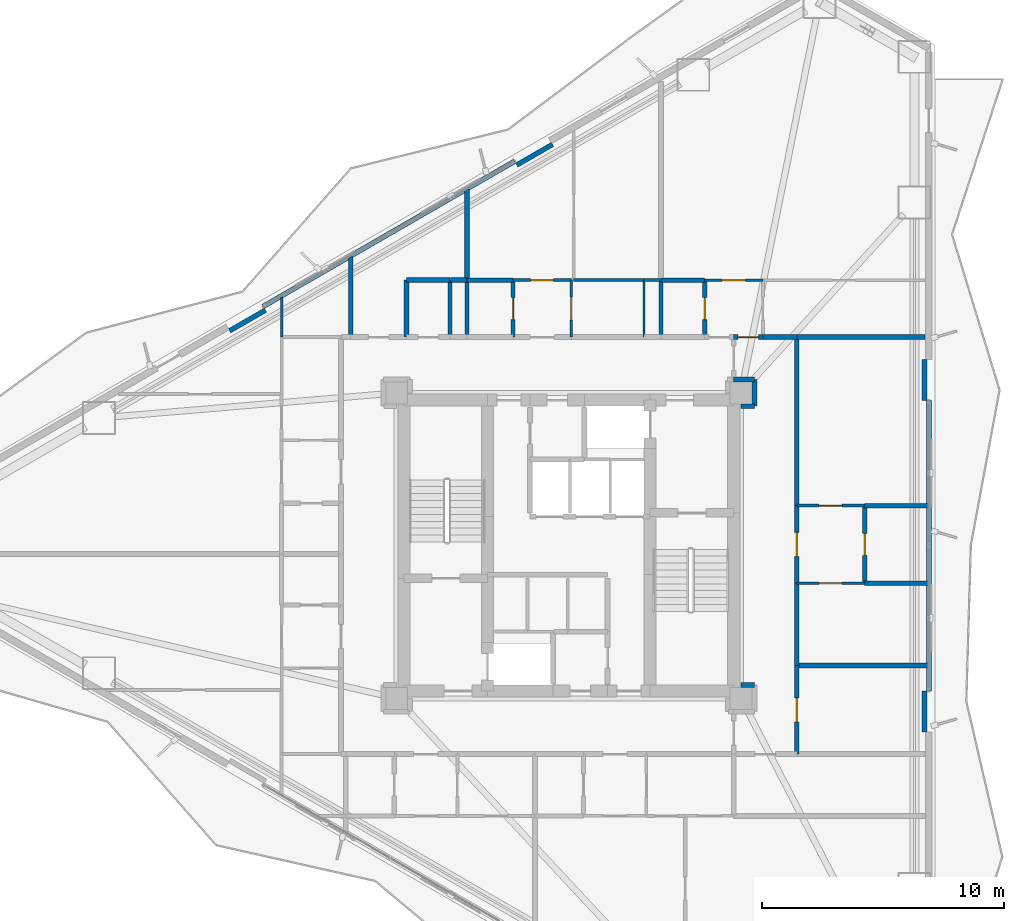
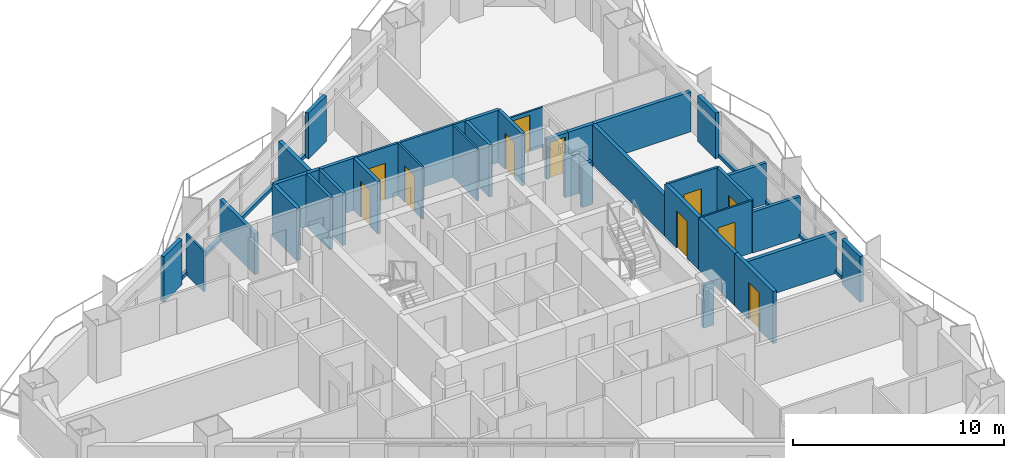
# One storey, part 15 of 18: 42 walls, 11 doors, 11 openings.
"""IFC4 building model written with IfcOpenShell, lengths in metres."""

from ifc_helpers import new_model, si_unit, direction, frame, frame_2d, origin, place, context, subcontext, project, spatial, rectangle, extrude, material, layer, layer_set, type_object, element, fill, save


model = new_model("IFC4")

# Units and contexts
model_context = context("Model", 3, precision=1e-05, world=origin(), true_north=direction((0.0, 1.0)))
body_context = subcontext(model_context, "Body", "Model", "MODEL_VIEW")
ifc_project = project(units=[si_unit("LENGTHUNIT", "METRE"), si_unit("AREAUNIT", "SQUARE_METRE"), si_unit("VOLUMEUNIT", "CUBIC_METRE"), si_unit("PLANEANGLEUNIT", "RADIAN"), si_unit("MASSUNIT", "GRAM", prefix="KILO")], contexts=[model_context])

# Site, building, storey
site_placement = place(None, origin())
site = spatial("IfcSite", under=ifc_project, at=site_placement, CompositionType="ELEMENT")
building_placement = place(site_placement, origin())
building = spatial("IfcBuilding", under=site, at=building_placement, Name="Mersakhor Tower and Convention Hall", CompositionType="ELEMENT")
storey_placement = place(building_placement, frame((0.0, 0.0, 58.800048828125)))
storey = spatial("IfcBuildingStorey", under=building, at=storey_placement, Name="L16", CompositionType="ELEMENT", Elevation=58.800048828125)

# Walls
ifc_material_1 = material(Name="Precast concrete C40/50", Category="concrete")
ifc_layer_1 = layer(ifc_material_1, 0.199951171875)
ifc_layer_set_1 = layer_set([ifc_layer_1], Name="Precast concrete C40/50")
wall_type_1 = type_object("IfcWallType", Name="WL-PAR-200", PredefinedType="PARAPET", material=ifc_layer_set_1)
wall_1_placement = place(storey_placement, frame((16.390380859375, 36.6171875, 0.0), z_axis=(0.0, 0.0, 1.0), x_axis=(0.866027351828, 0.499996625875, 0.0)))
element("IfcWall", 1, at=wall_1_placement, inside=storey, type_object=wall_type_1, Name="L16 Curtain Wall Upstand Sill F1-B2", PredefinedType="PARAPET", context=body_context, shape_type="SweptSolid", body=[
    extrude(rectangle(XDim=11.97314453125, YDim=0.199951171875, at=frame_2d((5.986572265625, 0.0))), origin(), (0.0, 0.0, 1.0), 0.199951171875),
])
for number, where, z_axis, x_axis, name in (
    (2, (15.00830078125, 35.611328125, 0.0), (0.0, 0.0, 1.0), (0.86605165483, 0.499954529098, 0.0), "L16 Column Pier Cladding Wall F1-C1"),
    (3, (26.849609375, 42.447998046875, 0.0), (0.0, 0.0, 1.0), (0.86605165483, 0.499954529098, 0.0), "L16 Column Pier Cladding Wall F1-C2"),
):
    element("IfcWall", number, at=place(storey_placement, frame(where, z_axis=z_axis, x_axis=x_axis)), inside=storey, type_object=wall_type_1, Name=name, PredefinedType="PARAPET", context=body_context, shape_type="SweptSolid", body=[
        extrude(rectangle(XDim=1.699951171875, YDim=0.199951171875, at=frame_2d((0.85009765625, 0.0))), origin(), (0.0, 0.0, 1.0), 2.639892578125),
    ])
wall_2_placement = place(storey_placement, frame((43.85009765625, 32.736572265625, 0.0), z_axis=(0.0, 0.0, 1.0), x_axis=(0.0, -1.0, 0.0)))
element("IfcWall", 4, at=wall_2_placement, inside=storey, type_object=wall_type_1, Name="L16 Curtain Wall Upstand Sill F2-B2", PredefinedType="PARAPET", context=body_context, shape_type="SweptSolid", body=[
    extrude(rectangle(XDim=11.97314453125, YDim=0.199951171875, at=frame_2d((5.986572265625, 0.0))), origin(), (0.0, 0.0, 1.0), 0.199951171875),
])
for number, where, z_axis, x_axis, name in (
    (5, (43.669921875, 34.4365234375, 0.0), (0.0, 0.0, 1.0), (0.0, -1.0, 0.0), "L16 Column Pier Cladding Wall F2-C1"),
    (6, (43.669921875, 20.763427734375, 0.0), (0.0, 0.0, 1.0), (0.0, -1.0, 0.0), "L16 Column Pier Cladding Wall F2-C2"),
):
    element("IfcWall", number, at=place(storey_placement, frame(where, z_axis=z_axis, x_axis=x_axis)), inside=storey, type_object=wall_type_1, Name=name, PredefinedType="PARAPET", context=body_context, shape_type="SweptSolid", body=[
        extrude(rectangle(XDim=1.699951171875, YDim=0.199951171875, at=frame_2d((0.85009765625, 0.0))), origin(), (0.0, 0.0, 1.0), 2.639892578125),
    ])

# Wall, opening, door
ifc_material_2 = material(Name="Moisture-resistant acoustic drywall studwork", Category="other")
ifc_layer_2 = layer(ifc_material_2, 0.175048828125)
ifc_layer_set_2 = layer_set([ifc_layer_2], Name="Moisture-resistant acoustic drywall studwork")
wall_type_2 = type_object("IfcWallType", Name="WL-PLM-175", PredefinedType="PLUMBINGWALL", material=ifc_layer_set_2)
wall_3_placement = place(storey_placement, frame((26.699951171875, 35.35009765625, 0.0), z_axis=(0.0, 0.0, 1.0), x_axis=(0.0, 1.0, 0.0)))
wall_3 = element("IfcWall", 7, at=wall_3_placement, inside=storey, type_object=wall_type_2, Name="L16 Interior Partition Wall P-071", PredefinedType="PLUMBINGWALL", context=body_context, shape_type="SweptSolid", body=[
    extrude(rectangle(XDim=2.349853515625, YDim=0.175048828125, at=frame_2d((1.1748046875, 0.0))), origin(), (0.0, 0.0, 1.0), 3.02001953125),
])
opening_1_placement = place(wall_3_placement, frame((0.72509765625, 0.0, 0.0)))
opening_1 = element("IfcOpeningElement", 8, at=opening_1_placement, cuts=wall_3, Name="Opening WD-01", PredefinedType="OPENING", context=body_context, shape_type="SweptSolid", body=[
    extrude(rectangle(XDim=0.89990234375, YDim=2.10009765625, at=frame_2d((0.449951171875, 1.050048828125))), frame((0.0, 0.097412109375, 0.0), z_axis=(0.0, -1.0, 0.0), x_axis=(1.0, 0.0, 0.0)), (0.0, 0.0, 1.0), 0.195068359375),
])
ifc_material_3 = material(Name="Solid-core hardwood leaf in painted steel frame", Category="steel")
door_type_1 = type_object("IfcDoorType", Name="DR-INT-WET-090x210", OperationType="NOTDEFINED", PredefinedType="DOOR", material=ifc_material_3)
door_1_placement = place(opening_1_placement, origin())
door_1 = element("IfcDoor", 9, at=door_1_placement, inside=storey, type_object=door_type_1, Name="L16 L16 Flat N2 Apartment Hall to L16 Flat N2 Bathroom Door", OperationType="SINGLE_SWING_RIGHT", OverallHeight=2.10009765625, OverallWidth=0.89990234375, PredefinedType="DOOR", context=body_context, shape_type="SweptSolid", body=[
    extrude(rectangle(XDim=0.89990234375, YDim=2.10009765625, at=frame_2d((0.449951171875, 1.050048828125))), frame((0.0, 0.02490234375, 0.0), z_axis=(0.0, -1.0, 0.0), x_axis=(1.0, 0.0, 0.0)), (0.0, 0.0, 1.0), 0.050048828125),
])
fill(opening_1, door_1)

wall_4_placement = place(storey_placement, frame((34.60009765625, 35.35009765625, 0.0), z_axis=(0.0, 0.0, 1.0), x_axis=(0.0, 1.0, 0.0)))
wall_4 = element("IfcWall", 10, at=wall_4_placement, inside=storey, type_object=wall_type_2, Name="L16 Interior Partition Wall P-074", PredefinedType="PLUMBINGWALL", context=body_context, shape_type="SweptSolid", body=[
    extrude(rectangle(XDim=2.349853515625, YDim=0.175048828125, at=frame_2d((1.1748046875, 0.0))), origin(), (0.0, 0.0, 1.0), 3.02001953125),
])
opening_2_placement = place(wall_4_placement, frame((0.72509765625, 0.0, 0.0)))
opening_2 = element("IfcOpeningElement", 11, at=opening_2_placement, cuts=wall_4, Name="Opening WD-01", PredefinedType="OPENING", context=body_context, shape_type="SweptSolid", body=[
    extrude(rectangle(XDim=0.89990234375, YDim=2.10009765625, at=frame_2d((0.449951171875, 1.050048828125))), frame((0.0, 0.097412109375, 0.0), z_axis=(0.0, -1.0, 0.0), x_axis=(1.0, 0.0, 0.0)), (0.0, 0.0, 1.0), 0.195068359375),
])
door_2_placement = place(opening_2_placement, origin())
door_2 = element("IfcDoor", 12, at=door_2_placement, inside=storey, type_object=door_type_1, Name="L16 L16 Flat N3 Apartment Hall to L16 Flat N3 Bathroom Door", OperationType="SINGLE_SWING_LEFT", OverallHeight=2.10009765625, OverallWidth=0.89990234375, PredefinedType="DOOR", context=body_context, shape_type="SweptSolid", body=[
    extrude(rectangle(XDim=0.89990234375, YDim=2.10009765625, at=frame_2d((0.449951171875, 1.050048828125))), frame((0.0, 0.02490234375, 0.0), z_axis=(0.0, -1.0, 0.0), x_axis=(1.0, 0.0, 0.0)), (0.0, 0.0, 1.0), 0.050048828125),
])
fill(opening_2, door_2)

wall_5_placement = place(storey_placement, frame((41.199951171875, 28.39990234375, 0.0), z_axis=(0.0, 0.0, 1.0), x_axis=(0.0, -1.0, 0.0)))
wall_5 = element("IfcWall", 13, at=wall_5_placement, inside=storey, type_object=wall_type_2, Name="L16 Interior Partition Wall P-087", PredefinedType="PLUMBINGWALL", context=body_context, shape_type="SweptSolid", body=[
    extrude(rectangle(XDim=3.199951171875, YDim=0.175048828125, at=frame_2d((1.60009765625, 0.0))), origin(), (0.0, 0.0, 1.0), 3.02001953125),
])
opening_3_placement = place(wall_5_placement, frame((1.14990234375, 0.0, 0.0)))
opening_3 = element("IfcOpeningElement", 14, at=opening_3_placement, cuts=wall_5, Name="Opening WD-01", PredefinedType="OPENING", context=body_context, shape_type="SweptSolid", body=[
    extrude(rectangle(XDim=0.89990234375, YDim=2.10009765625, at=frame_2d((0.449951171875, 1.050048828125))), frame((0.0, 0.097412109375, 0.0), z_axis=(0.0, -1.0, 0.0), x_axis=(1.0, 0.0, 0.0)), (0.0, 0.0, 1.0), 0.195068359375),
])
door_3_placement = place(opening_3_placement, origin())
door_3 = element("IfcDoor", 15, at=door_3_placement, inside=storey, type_object=door_type_1, Name="L16 L16 Flat E8 Apartment Hall to L16 Flat E8 Bathroom Door", OperationType="SINGLE_SWING_RIGHT", OverallHeight=2.10009765625, OverallWidth=0.89990234375, PredefinedType="DOOR", context=body_context, shape_type="SweptSolid", body=[
    extrude(rectangle(XDim=0.89990234375, YDim=2.10009765625, at=frame_2d((0.449951171875, 1.050048828125))), frame((0.0, 0.02490234375, 0.0), z_axis=(0.0, -1.0, 0.0), x_axis=(1.0, 0.0, 0.0)), (0.0, 0.0, 1.0), 0.050048828125),
])
fill(opening_3, door_3)

# Walls
wall_6_placement = place(storey_placement, frame((24.10009765625, 37.699951171875, 0.0), z_axis=(0.0, 0.0, 1.0), x_axis=(0.0, -1.0, 0.0)))
element("IfcWall", 16, at=wall_6_placement, inside=storey, type_object=wall_type_2, Name="L16 Interior Partition Wall P-091", PredefinedType="PLUMBINGWALL", context=body_context, shape_type="SweptSolid", body=[
    extrude(rectangle(XDim=2.349853515625, YDim=0.175048828125, at=frame_2d((1.1748046875, 0.0))), origin(), (0.0, 0.0, 1.0), 3.02001953125),
])
wall_7_placement = place(storey_placement, frame((24.800048828125, 37.699951171875, 0.0), z_axis=(0.0, 0.0, 1.0), x_axis=(1.0, 0.0, 0.0)))
element("IfcWall", 17, at=wall_7_placement, inside=storey, type_object=wall_type_2, Name="L16 Interior Partition Wall P-093", PredefinedType="PLUMBINGWALL", context=body_context, shape_type="SweptSolid", body=[
    extrude(rectangle(XDim=1.89990234375, YDim=0.175048828125, at=frame_2d((0.949951171875, 0.0))), origin(), (0.0, 0.0, 1.0), 3.02001953125),
])
wall_8_placement = place(storey_placement, frame((24.800048828125, 35.35009765625, 0.0), z_axis=(0.0, 0.0, 1.0), x_axis=(0.0, 1.0, 0.0)))
element("IfcWall", 18, at=wall_8_placement, inside=storey, type_object=wall_type_2, Name="L16 Interior Partition Wall P-094", PredefinedType="PLUMBINGWALL", context=body_context, shape_type="SweptSolid", body=[
    extrude(rectangle(XDim=2.349853515625, YDim=0.175048828125, at=frame_2d((1.1748046875, 0.0))), origin(), (0.0, 0.0, 1.0), 3.02001953125),
])
wall_9_placement = place(storey_placement, frame((32.800048828125, 37.699951171875, 0.0), z_axis=(0.0, 0.0, 1.0), x_axis=(1.0, 0.0, 0.0)))
element("IfcWall", 19, at=wall_9_placement, inside=storey, type_object=wall_type_2, Name="L16 Interior Partition Wall P-097", PredefinedType="PLUMBINGWALL", context=body_context, shape_type="SweptSolid", body=[
    extrude(rectangle(XDim=1.800048828125, YDim=0.175048828125, at=frame_2d((0.89990234375, 0.0))), origin(), (0.0, 0.0, 1.0), 3.02001953125),
])
wall_10_placement = place(storey_placement, frame((32.800048828125, 35.35009765625, 0.0), z_axis=(0.0, 0.0, 1.0), x_axis=(0.0, 1.0, 0.0)))
element("IfcWall", 20, at=wall_10_placement, inside=storey, type_object=wall_type_2, Name="L16 Interior Partition Wall P-098", PredefinedType="PLUMBINGWALL", context=body_context, shape_type="SweptSolid", body=[
    extrude(rectangle(XDim=2.349853515625, YDim=0.175048828125, at=frame_2d((1.1748046875, 0.0))), origin(), (0.0, 0.0, 1.0), 3.02001953125),
])
for number, where, z_axis, x_axis, name in (
    (21, (41.199951171875, 28.39990234375, 0.0), (0.0, 0.0, 1.0), (1.0, 0.0, 0.0), "L16 Interior Partition Wall P-118"),
    (22, (43.81396484375, 25.199951171875, 0.0), (0.0, 0.0, 1.0), (-1.0, 0.0, 0.0), "L16 Interior Partition Wall P-119"),
):
    element("IfcWall", number, at=place(storey_placement, frame(where, z_axis=z_axis, x_axis=x_axis)), inside=storey, type_object=wall_type_2, Name=name, PredefinedType="PLUMBINGWALL", context=body_context, shape_type="SweptSolid", body=[
        extrude(rectangle(XDim=2.614013671875, YDim=0.175048828125, at=frame_2d((1.30712890625, 0.0))), origin(), (0.0, 0.0, 1.0), 2.364990234375),
    ])

# Wall, opening, door
ifc_material_4 = material(Name="Lightweight gypsum partition", Category="other")
ifc_layer_3 = layer(ifc_material_4, 0.10009765625)
ifc_layer_set_3 = layer_set([ifc_layer_3], Name="Lightweight gypsum partition")
wall_type_3 = type_object("IfcWallType", Name="WL-PRT-100", PredefinedType="PARTITIONING", material=ifc_layer_set_3)
wall_11_placement = place(storey_placement, frame((29.10009765625, 37.699951171875, 0.0), z_axis=(0.0, 0.0, 1.0), x_axis=(0.0, -1.0, 0.0)))
wall_11 = element("IfcWall", 23, at=wall_11_placement, inside=storey, type_object=wall_type_3, Name="L16 Interior Partition Wall P-070", PredefinedType="PARTITIONING", context=body_context, shape_type="SweptSolid", body=[
    extrude(rectangle(XDim=2.349853515625, YDim=0.10009765625, at=frame_2d((1.1748046875, 0.0))), origin(), (0.0, 0.0, 1.0), 3.02001953125),
])
opening_4_placement = place(wall_11_placement, frame((0.699951171875, 0.0, 0.0)))
opening_4 = element("IfcOpeningElement", 24, at=opening_4_placement, cuts=wall_11, Name="Opening RD-01", PredefinedType="OPENING", context=body_context, shape_type="SweptSolid", body=[
    extrude(rectangle(XDim=0.949951171875, YDim=2.10009765625, at=frame_2d((0.47509765625, 1.050048828125))), frame((0.0, 0.06005859375, 0.0), z_axis=(0.0, -1.0, 0.0), x_axis=(1.0, 0.0, 0.0)), (0.0, 0.0, 1.0), 0.1201171875),
])
ifc_material_5 = material(Name="Solid-core hardwood leaf in painted steel frame", Category="steel")
door_type_2 = type_object("IfcDoorType", Name="DR-INT-RM-095x210", OperationType="NOTDEFINED", PredefinedType="DOOR", material=ifc_material_5)
door_4_placement = place(opening_4_placement, origin())
door_4 = element("IfcDoor", 25, at=door_4_placement, inside=storey, type_object=door_type_2, Name="L16 L16 Flat N2 Apartment Hall to L16 Flat N2 Kitchen Door", OperationType="SINGLE_SWING_LEFT", OverallHeight=2.10009765625, OverallWidth=0.949951171875, PredefinedType="DOOR", context=body_context, shape_type="SweptSolid", body=[
    extrude(rectangle(XDim=0.949951171875, YDim=2.10009765625, at=frame_2d((0.47509765625, 1.050048828125))), frame((0.0, 0.02490234375, 0.0), z_axis=(0.0, -1.0, 0.0), x_axis=(1.0, 0.0, 0.0)), (0.0, 0.0, 1.0), 0.050048828125),
])
fill(opening_4, door_4)

wall_12_placement = place(storey_placement, frame((34.60009765625, 37.699951171875, 0.0), z_axis=(0.0, 0.0, 1.0), x_axis=(1.0, 0.0, 0.0)))
wall_12 = element("IfcWall", 26, at=wall_12_placement, inside=storey, type_object=wall_type_3, Name="L16 Interior Partition Wall P-072", PredefinedType="PARTITIONING", context=body_context, shape_type="SweptSolid", body=[
    extrude(rectangle(XDim=2.39990234375, YDim=0.10009765625, at=frame_2d((1.199951171875, 0.0))), origin(), (0.0, 0.0, 1.0), 2.3173828125),
])
opening_5_placement = place(wall_12_placement, frame((0.72509765625, 0.0, 0.0)))
opening_5 = element("IfcOpeningElement", 27, at=opening_5_placement, cuts=wall_12, Name="Opening RD-01", PredefinedType="OPENING", context=body_context, shape_type="SweptSolid", body=[
    extrude(rectangle(XDim=0.949951171875, YDim=2.10009765625, at=frame_2d((0.47509765625, 1.050048828125))), frame((0.0, 0.06005859375, 0.0), z_axis=(0.0, -1.0, 0.0), x_axis=(1.0, 0.0, 0.0)), (0.0, 0.0, 1.0), 0.1201171875),
])
door_5_placement = place(opening_5_placement, origin())
door_5 = element("IfcDoor", 28, at=door_5_placement, inside=storey, type_object=door_type_2, Name="L16 L16 Flat N3 Apartment Hall to L16 Flat N3 Studio Living and Sleeping Room Door", OperationType="SINGLE_SWING_LEFT", OverallHeight=2.10009765625, OverallWidth=0.949951171875, PredefinedType="DOOR", context=body_context, shape_type="SweptSolid", body=[
    extrude(rectangle(XDim=0.949951171875, YDim=2.10009765625, at=frame_2d((0.47509765625, 1.050048828125))), frame((0.0, 0.02490234375, 0.0), z_axis=(0.0, -1.0, 0.0), x_axis=(1.0, 0.0, 0.0)), (0.0, 0.0, 1.0), 0.050048828125),
])
fill(opening_5, door_5)

wall_13_placement = place(storey_placement, frame((41.199951171875, 25.199951171875, 0.0), z_axis=(0.0, 0.0, 1.0), x_axis=(-1.0, 0.0, 0.0)))
wall_13 = element("IfcWall", 29, at=wall_13_placement, inside=storey, type_object=wall_type_3, Name="L16 Interior Partition Wall P-088", PredefinedType="PARTITIONING", context=body_context, shape_type="SweptSolid", body=[
    extrude(rectangle(XDim=2.800048828125, YDim=0.10009765625, at=frame_2d((1.39990234375, 0.0))), origin(), (0.0, 0.0, 1.0), 3.02001953125),
])
opening_6_placement = place(wall_13_placement, frame((0.925048828125, 0.0, 0.0)))
opening_6 = element("IfcOpeningElement", 30, at=opening_6_placement, cuts=wall_13, Name="Opening RD-01", PredefinedType="OPENING", context=body_context, shape_type="SweptSolid", body=[
    extrude(rectangle(XDim=0.949951171875, YDim=2.10009765625, at=frame_2d((0.47509765625, 1.050048828125))), frame((0.0, 0.06005859375, 0.0), z_axis=(0.0, -1.0, 0.0), x_axis=(1.0, 0.0, 0.0)), (0.0, 0.0, 1.0), 0.1201171875),
])
door_6_placement = place(opening_6_placement, origin())
door_6 = element("IfcDoor", 31, at=door_6_placement, inside=storey, type_object=door_type_2, Name="L16 L16 Flat E8 Apartment Hall to L16 Flat E8 Kitchen Door", OperationType="SINGLE_SWING_LEFT", OverallHeight=2.10009765625, OverallWidth=0.949951171875, PredefinedType="DOOR", context=body_context, shape_type="SweptSolid", body=[
    extrude(rectangle(XDim=0.949951171875, YDim=2.10009765625, at=frame_2d((0.47509765625, 1.050048828125))), frame((0.0, 0.02490234375, 0.0), z_axis=(0.0, -1.0, 0.0), x_axis=(1.0, 0.0, 0.0)), (0.0, 0.0, 1.0), 0.050048828125),
])
fill(opening_6, door_6)

# Walls
wall_14_placement = place(storey_placement, frame((32.10009765625, 37.699951171875, 0.0), z_axis=(0.0, 0.0, 1.0), x_axis=(0.0, -1.0, 0.0)))
element("IfcWall", 32, at=wall_14_placement, inside=storey, type_object=wall_type_3, Name="L16 Interior Partition Wall P-096", PredefinedType="PARTITIONING", context=body_context, shape_type="SweptSolid", body=[
    extrude(rectangle(XDim=2.349853515625, YDim=0.10009765625, at=frame_2d((1.1748046875, 0.0))), origin(), (0.0, 0.0, 1.0), 3.02001953125),
])
wall_15_placement = place(storey_placement, frame((17.14990234375, 37.01416015625, 0.0), z_axis=(0.0, 0.0, 1.0), x_axis=(0.0, -1.0, 0.0)))
element("IfcWall", 33, at=wall_15_placement, inside=storey, type_object=wall_type_3, Name="L16 Interior Partition Wall P-140", PredefinedType="PARTITIONING", context=body_context, shape_type="SweptSolid", body=[
    extrude(rectangle(XDim=1.6640625, YDim=0.10009765625, at=frame_2d((0.83203125, 0.0))), origin(), (0.0, 0.0, 1.0), 2.364990234375),
])

# Wall, opening, door
ifc_material_6 = material(Name="Gypsum board acoustic partition", Category="other")
ifc_layer_4 = layer(ifc_material_6, 0.125)
ifc_layer_set_4 = layer_set([ifc_layer_4], Name="Gypsum board acoustic partition")
wall_type_4 = type_object("IfcWallType", Name="WL-PRT-125", PredefinedType="PARTITIONING", material=ifc_layer_set_4)
wall_16_placement = place(storey_placement, frame((26.699951171875, 37.699951171875, 0.0), z_axis=(0.0, 0.0, 1.0), x_axis=(1.0, 0.0, 0.0)))
wall_16 = element("IfcWall", 34, at=wall_16_placement, inside=storey, type_object=wall_type_4, Name="L16 Interior Partition Wall P-069", PredefinedType="PARTITIONING", context=body_context, shape_type="SweptSolid", body=[
    extrude(rectangle(XDim=2.400146484375, YDim=0.125, at=frame_2d((1.2001953125, 0.0))), origin(), (0.0, 0.0, 1.0), 3.02001953125),
])
opening_7_placement = place(wall_16_placement, frame((0.72509765625, 0.0, 0.0)))
opening_7 = element("IfcOpeningElement", 35, at=opening_7_placement, cuts=wall_16, Name="Opening RD-01", PredefinedType="OPENING", context=body_context, shape_type="SweptSolid", body=[
    extrude(rectangle(XDim=0.949951171875, YDim=2.10009765625, at=frame_2d((0.47509765625, 1.050048828125))), frame((0.0, 0.072509765625, 0.0), z_axis=(0.0, -1.0, 0.0), x_axis=(1.0, 0.0, 0.0)), (0.0, 0.0, 1.0), 0.14501953125),
])
door_7_placement = place(opening_7_placement, origin())
door_7 = element("IfcDoor", 36, at=door_7_placement, inside=storey, type_object=door_type_2, Name="L16 L16 Flat N2 Apartment Hall to L16 Flat N2 Living and Dining Room Door", OperationType="SINGLE_SWING_RIGHT", OverallHeight=2.10009765625, OverallWidth=0.949951171875, PredefinedType="DOOR", context=body_context, shape_type="SweptSolid", body=[
    extrude(rectangle(XDim=0.949951171875, YDim=2.10009765625, at=frame_2d((0.47509765625, 1.050048828125))), frame((0.0, 0.02490234375, 0.0), z_axis=(0.0, -1.0, 0.0), x_axis=(1.0, 0.0, 0.0)), (0.0, 0.0, 1.0), 0.050048828125),
])
fill(opening_7, door_7)

wall_17_placement = place(storey_placement, frame((38.39990234375, 28.39990234375, 0.0), z_axis=(0.0, 0.0, 1.0), x_axis=(1.0, 0.0, 0.0)))
wall_17 = element("IfcWall", 37, at=wall_17_placement, inside=storey, type_object=wall_type_4, Name="L16 Interior Partition Wall P-089", PredefinedType="PARTITIONING", context=body_context, shape_type="SweptSolid", body=[
    extrude(rectangle(XDim=2.800048828125, YDim=0.125, at=frame_2d((1.39990234375, 0.0))), origin(), (0.0, 0.0, 1.0), 3.02001953125),
])
opening_8_placement = place(wall_17_placement, frame((0.925048828125, 0.0, 0.0)))
opening_8 = element("IfcOpeningElement", 38, at=opening_8_placement, cuts=wall_17, Name="Opening RD-01", PredefinedType="OPENING", context=body_context, shape_type="SweptSolid", body=[
    extrude(rectangle(XDim=0.949951171875, YDim=2.10009765625, at=frame_2d((0.47509765625, 1.050048828125))), frame((0.0, 0.072509765625, 0.0), z_axis=(0.0, -1.0, 0.0), x_axis=(1.0, 0.0, 0.0)), (0.0, 0.0, 1.0), 0.14501953125),
])
door_8_placement = place(opening_8_placement, origin())
door_8 = element("IfcDoor", 39, at=door_8_placement, inside=storey, type_object=door_type_2, Name="L16 L16 Flat E8 Apartment Hall to L16 Flat E8 Studio Living and Sleeping Room Door", OperationType="SINGLE_SWING_RIGHT", OverallHeight=2.10009765625, OverallWidth=0.949951171875, PredefinedType="DOOR", context=body_context, shape_type="SweptSolid", body=[
    extrude(rectangle(XDim=0.949951171875, YDim=2.10009765625, at=frame_2d((0.47509765625, 1.050048828125))), frame((0.0, 0.02490234375, 0.0), z_axis=(0.0, -1.0, 0.0), x_axis=(1.0, 0.0, 0.0)), (0.0, 0.0, 1.0), 0.050048828125),
])
fill(opening_8, door_8)

# Walls
wall_18_placement = place(storey_placement, frame((29.199951171875, 37.699951171875, 0.0), z_axis=(0.0, 0.0, 1.0), x_axis=(1.0, 0.0, 0.0)))
element("IfcWall", 40, at=wall_18_placement, inside=storey, type_object=wall_type_4, Name="L16 Interior Partition Wall P-095", PredefinedType="PARTITIONING", context=body_context, shape_type="SweptSolid", body=[
    extrude(rectangle(XDim=2.900146484375, YDim=0.125, at=frame_2d((1.4501953125, 0.0))), origin(), (0.0, 0.0, 1.0), 3.02001953125),
])
wall_19_placement = place(storey_placement, frame((32.800048828125, 37.699951171875, 0.0), z_axis=(0.0, 0.0, 1.0), x_axis=(-1.0, 0.0, 0.0)))
element("IfcWall", 41, at=wall_19_placement, inside=storey, type_object=wall_type_4, Name="L16 Interior Partition Wall P-127", PredefinedType="PARTITIONING", context=body_context, shape_type="SweptSolid", body=[
    extrude(rectangle(XDim=0.699951171875, YDim=0.125, at=frame_2d((0.35009765625, 0.0))), origin(), (0.0, 0.0, 1.0), 3.02001953125),
])
ifc_material_7 = material(Name="Acoustic concrete blockwork and gypsum board", Category="masonry")
ifc_layer_5 = layer(ifc_material_7, 0.199951171875)
ifc_layer_set_5 = layer_set([ifc_layer_5], Name="Acoustic concrete blockwork and gypsum board")
wall_type_5 = type_object("IfcWallType", Name="WL-PRT-200", PredefinedType="PARTITIONING", material=ifc_layer_set_5)
for number, where, z_axis, x_axis, name in (
    (42, (36.64990234375, 21.0, 0.0), (0.0, 0.0, 1.0), (-1.0, 0.0, 0.0), "L16 Interior Partition Wall P-056"),
    (43, (36.10009765625, 32.5, 0.0), (0.0, 0.0, 1.0), (1.0, 0.0, 0.0), "L16 Interior Partition Wall P-057"),
):
    element("IfcWall", number, at=place(storey_placement, frame(where, z_axis=z_axis, x_axis=x_axis)), inside=storey, type_object=wall_type_5, Name=name, PredefinedType="PARTITIONING", context=body_context, shape_type="SweptSolid", body=[
        extrude(rectangle(XDim=0.5498046875, YDim=0.199951171875, at=frame_2d((0.27490234375, 0.0))), origin(), (0.0, 0.0, 1.0), 2.46826171875),
    ])
wall_20_placement = place(storey_placement, frame((36.64990234375, 32.5, 0.0), z_axis=(0.0, 0.0, 1.0), x_axis=(0.0, 1.0, 0.0)))
element("IfcWall", 44, at=wall_20_placement, inside=storey, type_object=wall_type_5, Name="L16 Interior Partition Wall P-058", PredefinedType="PARTITIONING", context=body_context, shape_type="SweptSolid", body=[
    extrude(rectangle(XDim=1.10009765625, YDim=0.199951171875, at=frame_2d((0.550048828125, 0.0))), origin(), (0.0, 0.0, 1.0), 2.3173828125),
])
wall_21_placement = place(storey_placement, frame((36.64990234375, 33.60009765625, 0.0), z_axis=(0.0, 0.0, 1.0), x_axis=(-1.0, 0.0, 0.0)))
element("IfcWall", 45, at=wall_21_placement, inside=storey, type_object=wall_type_5, Name="L16 Interior Partition Wall P-059", PredefinedType="PARTITIONING", context=body_context, shape_type="SweptSolid", body=[
    extrude(rectangle(XDim=0.849853515625, YDim=0.199951171875, at=frame_2d((0.4248046875, 0.0))), origin(), (0.0, 0.0, 1.0), 2.3173828125),
])

# Wall, opening, door
wall_22_placement = place(storey_placement, frame((35.800048828125, 35.35009765625, 0.0), z_axis=(0.0, 0.0, 1.0), x_axis=(1.0, 0.0, 0.0)))
wall_22 = element("IfcWall", 46, at=wall_22_placement, inside=storey, type_object=wall_type_5, Name="L16 Interior Partition Wall P-060", PredefinedType="PARTITIONING", context=body_context, shape_type="SweptSolid", body=[
    extrude(rectangle(XDim=1.199951171875, YDim=0.199951171875, at=frame_2d((0.60009765625, 0.0))), origin(), (0.0, 0.0, 1.0), 2.3173828125),
])
opening_9_placement = place(wall_22_placement, frame((0.175048828125, 0.0, 0.0)))
opening_9 = element("IfcOpeningElement", 47, at=opening_9_placement, cuts=wall_22, Name="Opening SVD-01", PredefinedType="OPENING", context=body_context, shape_type="SweptSolid", body=[
    extrude(rectangle(XDim=0.85009765625, YDim=2.10009765625, at=frame_2d((0.425048828125, 1.050048828125))), frame((0.0, 0.10986328125, 0.0), z_axis=(0.0, -1.0, 0.0), x_axis=(1.0, 0.0, 0.0)), (0.0, 0.0, 1.0), 0.219970703125),
])
ifc_material_8 = material(Name="Fire-rated hardwood leaf and painted steel frame", Category="steel")
door_type_3 = type_object("IfcDoorType", Name="DR-INT-SVC-085x210", OperationType="NOTDEFINED", PredefinedType="DOOR", material=ifc_material_8)
door_9_placement = place(opening_9_placement, origin())
door_9 = element("IfcDoor", 48, at=door_9_placement, inside=storey, type_object=door_type_3, Name="L16 Apartment Entrance Door (Residential Ring East Corridor to L16 Flat N3 Apartment Hall)", OperationType="SINGLE_SWING_RIGHT", OverallHeight=2.10009765625, OverallWidth=0.85009765625, PredefinedType="DOOR", context=body_context, shape_type="SweptSolid", body=[
    extrude(rectangle(XDim=0.85009765625, YDim=2.10009765625, at=frame_2d((0.425048828125, 1.050048828125))), frame((0.0, 0.02490234375, 0.0), z_axis=(0.0, -1.0, 0.0), x_axis=(1.0, 0.0, 0.0)), (0.0, 0.0, 1.0), 0.050048828125),
])
fill(opening_9, door_9)

# Walls
wall_23_placement = place(storey_placement, frame((37.0, 35.35009765625, 0.0), z_axis=(0.0, 0.0, 1.0), x_axis=(1.0, 0.0, 0.0)))
element("IfcWall", 49, at=wall_23_placement, inside=storey, type_object=wall_type_5, Name="L16 Interior Partition Wall P-061", PredefinedType="PARTITIONING", context=body_context, shape_type="SweptSolid", body=[
    extrude(rectangle(XDim=1.39990234375, YDim=0.199951171875, at=frame_2d((0.699951171875, 0.0))), origin(), (0.0, 0.0, 1.0), 2.3173828125),
])
wall_24_placement = place(storey_placement, frame((38.39990234375, 35.35009765625, 0.0), z_axis=(0.0, 0.0, 1.0), x_axis=(0.0, -1.0, 0.0)))
element("IfcWall", 50, at=wall_24_placement, inside=storey, type_object=wall_type_5, Name="L16 Interior Partition Wall P-062", PredefinedType="PARTITIONING", context=body_context, shape_type="SweptSolid", body=[
    extrude(rectangle(XDim=6.9501953125, YDim=0.199951171875, at=frame_2d((3.47509765625, 0.0))), origin(), (0.0, 0.0, 1.0), 2.3173828125),
])

# Wall, opening, door
wall_25_placement = place(storey_placement, frame((38.39990234375, 28.39990234375, 0.0), z_axis=(0.0, 0.0, 1.0), x_axis=(0.0, -1.0, 0.0)))
wall_25 = element("IfcWall", 51, at=wall_25_placement, inside=storey, type_object=wall_type_5, Name="L16 Interior Partition Wall P-063", PredefinedType="PARTITIONING", context=body_context, shape_type="SweptSolid", body=[
    extrude(rectangle(XDim=3.199951171875, YDim=0.199951171875, at=frame_2d((1.60009765625, 0.0))), origin(), (0.0, 0.0, 1.0), 3.02001953125),
])
opening_10_placement = place(wall_25_placement, frame((1.10009765625, 0.0, 0.0)))
opening_10 = element("IfcOpeningElement", 52, at=opening_10_placement, cuts=wall_25, Name="Opening FD-01", PredefinedType="OPENING", context=body_context, shape_type="SweptSolid", body=[
    extrude(rectangle(XDim=1.0, YDim=2.14990234375, at=frame_2d((0.5, 1.074951171875))), frame((0.0, 0.10986328125, 0.0), z_axis=(0.0, -1.0, 0.0), x_axis=(1.0, 0.0, 0.0)), (0.0, 0.0, 1.0), 0.219970703125),
])
ifc_material_9 = material(Name="Fire-rated hardwood leaf and painted steel frame", Category="steel")
door_type_4 = type_object("IfcDoorType", Name="DR-INT-FLT-100x215", OperationType="NOTDEFINED", PredefinedType="DOOR", material=ifc_material_9)
door_10_placement = place(opening_10_placement, origin())
door_10 = element("IfcDoor", 53, at=door_10_placement, inside=storey, type_object=door_type_4, Name="L16 Apartment Entrance Door (Residential Ring East Corridor to L16 Flat E8 Apartment Hall)", OperationType="SINGLE_SWING_LEFT", OverallHeight=2.14990234375, OverallWidth=1.0, PredefinedType="DOOR", context=body_context, shape_type="SweptSolid", body=[
    extrude(rectangle(XDim=1.0, YDim=2.14990234375, at=frame_2d((0.5, 1.074951171875))), frame((0.0, 0.02490234375, 0.0), z_axis=(0.0, -1.0, 0.0), x_axis=(1.0, 0.0, 0.0)), (0.0, 0.0, 1.0), 0.050048828125),
])
fill(opening_10, door_10)

# Wall
wall_26_placement = place(storey_placement, frame((38.39990234375, 25.199951171875, 0.0), z_axis=(0.0, 0.0, 1.0), x_axis=(0.0, -1.0, 0.0)))
element("IfcWall", 54, at=wall_26_placement, inside=storey, type_object=wall_type_5, Name="L16 Interior Partition Wall P-064", PredefinedType="PARTITIONING", context=body_context, shape_type="SweptSolid", body=[
    extrude(rectangle(XDim=3.39990234375, YDim=0.199951171875, at=frame_2d((1.699951171875, 0.0))), origin(), (0.0, 0.0, 1.0), 3.02001953125),
])

# Wall, opening, door
wall_27_placement = place(storey_placement, frame((38.39990234375, 21.800048828125, 0.0), z_axis=(0.0, 0.0, 1.0), x_axis=(0.0, -1.0, 0.0)))
wall_27 = element("IfcWall", 55, at=wall_27_placement, inside=storey, type_object=wall_type_5, Name="L16 Interior Partition Wall P-065", PredefinedType="PARTITIONING", context=body_context, shape_type="SweptSolid", body=[
    extrude(rectangle(XDim=3.650146484375, YDim=0.199951171875, at=frame_2d((1.8251953125, 0.0))), origin(), (0.0, 0.0, 1.0), 3.02001953125),
])
opening_11_placement = place(wall_27_placement, frame((1.324951171875, 0.0, 0.0)))
opening_11 = element("IfcOpeningElement", 56, at=opening_11_placement, cuts=wall_27, Name="Opening FD-01", PredefinedType="OPENING", context=body_context, shape_type="SweptSolid", body=[
    extrude(rectangle(XDim=1.0, YDim=2.14990234375, at=frame_2d((0.5, 1.074951171875))), frame((0.0, 0.10986328125, 0.0), z_axis=(0.0, -1.0, 0.0), x_axis=(1.0, 0.0, 0.0)), (0.0, 0.0, 1.0), 0.219970703125),
])
door_11_placement = place(opening_11_placement, origin())
door_11 = element("IfcDoor", 57, at=door_11_placement, inside=storey, type_object=door_type_4, Name="L16 Residential Ring East Corridor to L16 East Wing Quiet Homework Room Door", OperationType="SINGLE_SWING_LEFT", OverallHeight=2.14990234375, OverallWidth=1.0, PredefinedType="DOOR", context=body_context, shape_type="SweptSolid", body=[
    extrude(rectangle(XDim=1.0, YDim=2.14990234375, at=frame_2d((0.5, 1.074951171875))), frame((0.0, 0.02490234375, 0.0), z_axis=(0.0, -1.0, 0.0), x_axis=(1.0, 0.0, 0.0)), (0.0, 0.0, 1.0), 0.050048828125),
])
fill(opening_11, door_11)

# Walls
wall_28_placement = place(storey_placement, frame((22.300048828125, 37.699951171875, 0.0), z_axis=(0.0, 0.0, 1.0), x_axis=(1.0, 0.0, 0.0)))
element("IfcWall", 58, at=wall_28_placement, inside=storey, type_object=wall_type_5, Name="L16 Interior Partition Wall P-090", PredefinedType="PARTITIONING", context=body_context, shape_type="SweptSolid", body=[
    extrude(rectangle(XDim=1.800048828125, YDim=0.199951171875, at=frame_2d((0.89990234375, 0.0))), origin(), (0.0, 0.0, 1.0), 3.02001953125),
])
wall_29_placement = place(storey_placement, frame((22.300048828125, 35.35009765625, 0.0), z_axis=(0.0, 0.0, 1.0), x_axis=(0.0, 1.0, 0.0)))
element("IfcWall", 59, at=wall_29_placement, inside=storey, type_object=wall_type_5, Name="L16 Interior Partition Wall P-092", PredefinedType="PARTITIONING", context=body_context, shape_type="SweptSolid", body=[
    extrude(rectangle(XDim=2.349853515625, YDim=0.199951171875, at=frame_2d((1.1748046875, 0.0))), origin(), (0.0, 0.0, 1.0), 3.02001953125),
])
wall_30_placement = place(storey_placement, frame((43.6884765625, 35.35009765625, 0.0), z_axis=(0.0, 0.0, 1.0), x_axis=(-1.0, 0.0, 0.0)))
element("IfcWall", 60, at=wall_30_placement, inside=storey, type_object=wall_type_5, Name="L16 Interior Partition Wall P-099", PredefinedType="PARTITIONING", context=body_context, shape_type="SweptSolid", body=[
    extrude(rectangle(XDim=5.28857421875, YDim=0.199951171875, at=frame_2d((2.644287109375, 0.0))), origin(), (0.0, 0.0, 1.0), 2.3173828125),
])
wall_31_placement = place(storey_placement, frame((43.81396484375, 21.800048828125, 0.0), z_axis=(0.0, 0.0, 1.0), x_axis=(-1.0, 0.0, 0.0)))
element("IfcWall", 61, at=wall_31_placement, inside=storey, type_object=wall_type_5, Name="L16 Interior Partition Wall P-120", PredefinedType="PARTITIONING", context=body_context, shape_type="SweptSolid", body=[
    extrude(rectangle(XDim=5.4140625, YDim=0.199951171875, at=frame_2d((2.70703125, 0.0))), origin(), (0.0, 0.0, 1.0), 2.364990234375),
])
wall_32_placement = place(storey_placement, frame((24.800048828125, 41.430908203125, 0.0), z_axis=(0.0, 0.0, 1.0), x_axis=(0.0, -1.0, 0.0)))
element("IfcWall", 62, at=wall_32_placement, inside=storey, type_object=wall_type_5, Name="L16 Interior Partition Wall P-123", PredefinedType="PARTITIONING", context=body_context, shape_type="SweptSolid", body=[
    extrude(rectangle(XDim=3.73095703125, YDim=0.199951171875, at=frame_2d((1.865478515625, 0.0))), origin(), (0.0, 0.0, 1.0), 2.364990234375),
])
wall_33_placement = place(storey_placement, frame((24.77001953125, 37.699951171875, 0.0), z_axis=(0.0, 0.0, 1.0), x_axis=(-1.0, 0.0, 0.0)))
element("IfcWall", 63, at=wall_33_placement, inside=storey, type_object=wall_type_5, Name="L16 Interior Partition Wall P-124", PredefinedType="PARTITIONING", context=body_context, shape_type="SweptSolid", body=[
    extrude(rectangle(XDim=0.655029296875, YDim=0.199951171875, at=frame_2d((0.32763671875, 0.0))), origin(), (0.0, 0.0, 1.0), 3.02001953125),
])
wall_34_placement = place(storey_placement, frame((20.0, 35.35009765625, 0.0), z_axis=(0.0, 0.0, 1.0), x_axis=(0.0, 1.0, 0.0)))
element("IfcWall", 64, at=wall_34_placement, inside=storey, type_object=wall_type_5, Name="L16 Interior Partition Wall P-125", PredefinedType="PARTITIONING", context=body_context, shape_type="SweptSolid", body=[
    extrude(rectangle(XDim=3.3095703125, YDim=0.199951171875, at=frame_2d((1.65478515625, 0.0))), origin(), (0.0, 0.0, 1.0), 2.364990234375),
])

save(model, "model.ifc")
